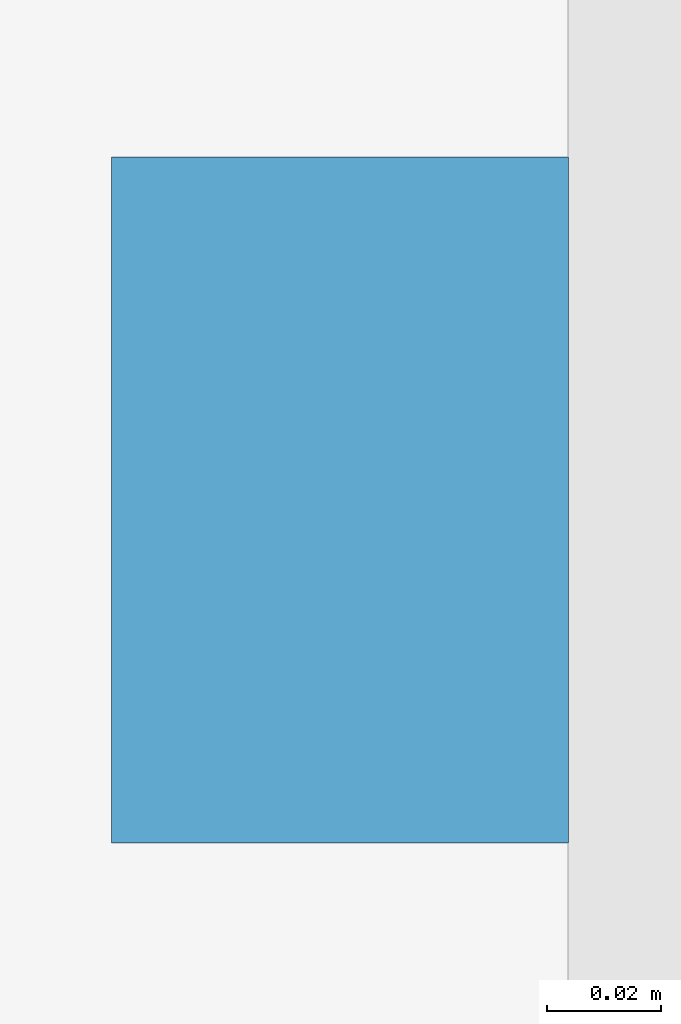
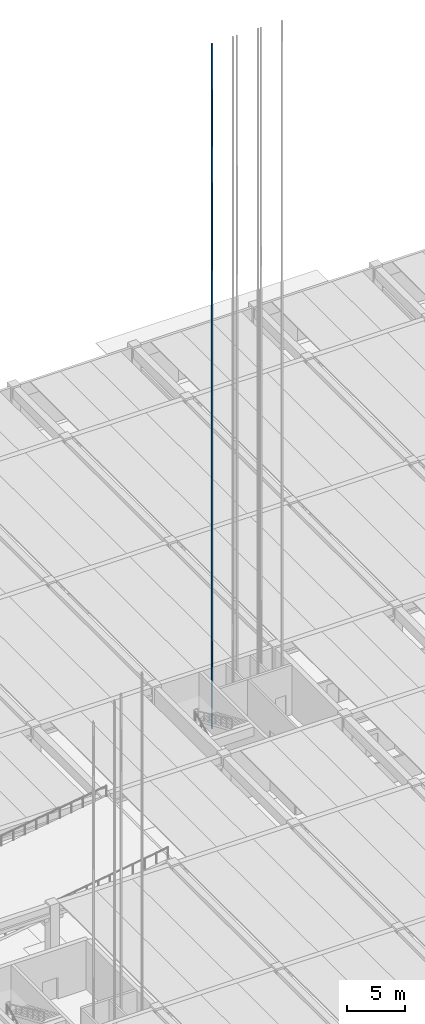
# One storey, part 44 of 59: 1 discrete accessory.
"""IFC4 building model written with IfcOpenShell, lengths in metres."""

from ifc_helpers import new_model, si_unit, direction, frame, origin, origin_2d, place, context, subcontext, project, spatial, rectangle, extrude, material, type_object, element, save


model = new_model("IFC4")

# Units and contexts
model_context = context("Model", 3, precision=1e-05, world=origin(), true_north=direction((0.0, 1.0)))
body_context = subcontext(model_context, "Body", "Model", "MODEL_VIEW")
ifc_project = project(units=[si_unit("LENGTHUNIT", "METRE"), si_unit("AREAUNIT", "SQUARE_METRE"), si_unit("VOLUMEUNIT", "CUBIC_METRE"), si_unit("PLANEANGLEUNIT", "RADIAN"), si_unit("MASSUNIT", "GRAM", prefix="KILO")], contexts=[model_context])

# Site, building, storey
site_placement = place(None, origin())
site = spatial("IfcSite", under=ifc_project, at=site_placement, CompositionType="ELEMENT")
building_placement = place(site_placement, origin())
building = spatial("IfcBuilding", under=site, at=building_placement, Name="Girod Span Mobility Hub", CompositionType="ELEMENT")
storey_placement = place(building_placement, origin())
storey = spatial("IfcBuildingStorey", under=building, at=storey_placement, Name="L00", CompositionType="ELEMENT", Elevation=0.0)

# Discrete accessory
ifc_material = material(Name="Steel A992 Grade 50", Category="steel")
discrete_accessory_type = type_object("IfcDiscreteAccessoryType", Name="ACC-LFT-RAIL", PredefinedType="USERDEFINED", material=ifc_material)
discrete_accessory_placement = place(storey_placement, frame((112.7451171875, 67.300048828125, 0.0), z_axis=(0.0, 0.0, 1.0), x_axis=(1.0, 0.0, 0.0)))
element("IfcDiscreteAccessory", 1, at=discrete_accessory_placement, inside=storey, type_object=discrete_accessory_type, Name="Hoistway Guide Rail FL-2-W", ObjectType="GUIDE RAIL", PredefinedType="USERDEFINED", context=body_context, shape_type="SweptSolid", body=[
    extrude(rectangle(XDim=0.080078125, YDim=0.1201171875, at=origin_2d()), origin(), (0.0, 0.0, 1.0), 71.949951171875),
])

save(model, "model.ifc")
